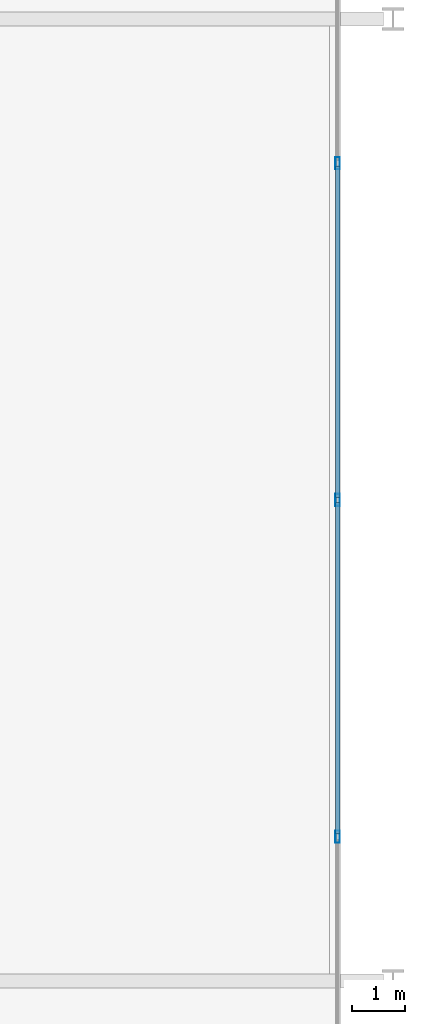
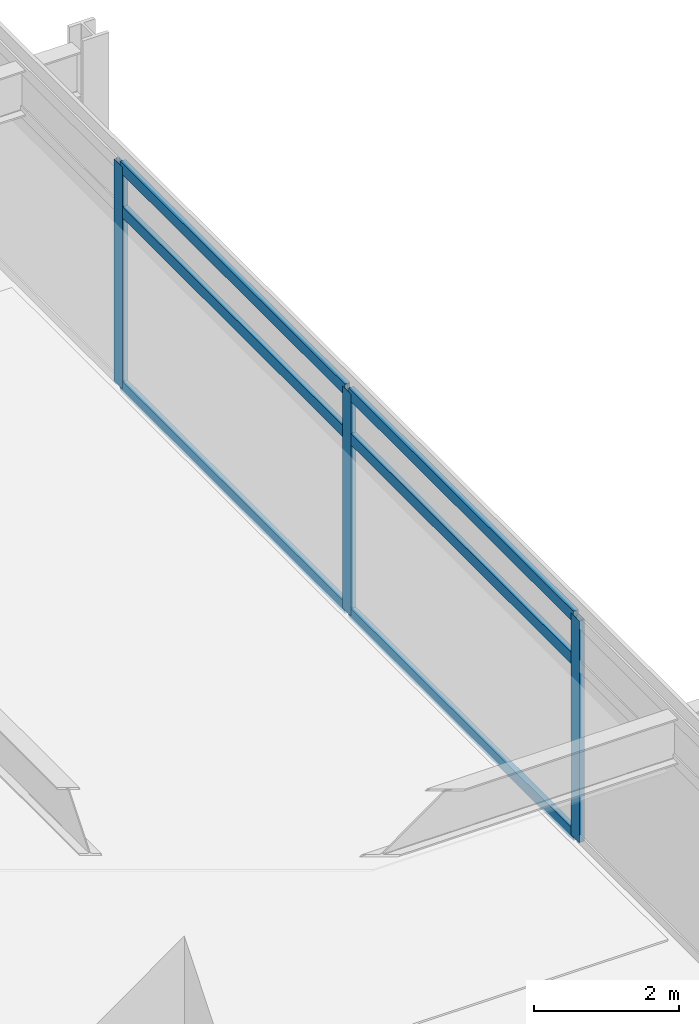
# One storey, part 10 of 23: 9 members, 1 element without a shape of its own.
"""IFC4 building model written with IfcOpenShell, lengths in metres."""

import ifcopenshell
import ifcopenshell.guid

model = None  # the IFC model being written
_history = None  # IfcOwnerHistory: only IFC2X3 demands one
_inside = {}  # id of a spatial element -> (the spatial element, [elements in it])
_under = {}  # id of a project, library or spatial element -> (it, [spatial elements below it])
_declared = {}  # id of a project -> (the project, [libraries it declares])
_typed = {}  # id of a type object -> (the type object, [elements of that type])
_made_of = {}  # id of a material, layer set ... -> (it, [elements and type objects made of it])


def new_model(schema):
    """Start an empty IFC model of exactly this schema.

    Asked for "IFC4X3", IfcOpenShell would pick the latest addendum, in which some entities
    have other attributes; the version numbers below select the first issue.
    IFC2X3 requires an IfcOwnerHistory on every rooted entity: one is made here for all.
    """
    global model, _history
    if schema == "IFC4X3":
        model = ifcopenshell.file(schema_version=(4, 3, 0, 0))
    else:
        model = ifcopenshell.file(schema=schema)
    _inside.clear()
    _under.clear()
    _declared.clear()
    _typed.clear()
    _made_of.clear()
    _history = None
    if model.schema == "IFC2X3":
        org = make("IfcOrganization", Name="unknown")
        user = make(
            "IfcPersonAndOrganization",
            ThePerson=make("IfcPerson", FamilyName="unknown"),
            TheOrganization=org,
        )
        app = make(
            "IfcApplication",
            ApplicationDeveloper=org,
            Version="unknown",
            ApplicationFullName="unknown",
            ApplicationIdentifier="unknown",
        )
        _history = make(
            "IfcOwnerHistory",
            OwningUser=user,
            OwningApplication=app,
            ChangeAction="ADDED",
            CreationDate=0,
        )
    return model


def make(cls, **values):
    """One entity of the class cls with the attributes given. An attribute that is None is left unset."""
    return model.create_entity(
        cls, **{name: value for name, value in values.items() if value is not None}
    )


def rooted(cls, **values):
    """An entity with a GlobalId (a new one), such as an element, a storey or a relation."""
    return make(cls, GlobalId=ifcopenshell.guid.new(), OwnerHistory=_history, **values)


def si_unit(unit_type, name, prefix=None):
    """IfcSIUnit, for example si_unit("LENGTHUNIT", "METRE", prefix="MILLI")."""
    return make("IfcSIUnit", UnitType=unit_type, Prefix=prefix, Name=name)


def assignment(units):
    """IfcUnitAssignment: the units of a project."""
    return None if units is None else make("IfcUnitAssignment", Units=units)


def point(xyz):
    """IfcCartesianPoint."""
    return None if xyz is None else make("IfcCartesianPoint", Coordinates=xyz)


def direction(xyz):
    """IfcDirection."""
    return None if xyz is None else make("IfcDirection", DirectionRatios=xyz)


def frame(location, z_axis=None, x_axis=None):
    """IfcAxis2Placement3D, a coordinate frame: its origin and axes. An axis left out is left unset."""
    return make(
        "IfcAxis2Placement3D",
        Location=point(location),
        Axis=direction(z_axis),
        RefDirection=direction(x_axis),
    )


def frame_2d(location, x_axis=None):
    """IfcAxis2Placement2D, a coordinate frame in the plane: its origin and x axis."""
    return make(
        "IfcAxis2Placement2D", Location=point(location), RefDirection=direction(x_axis)
    )


def origin():
    """The frame at (0, 0, 0) with its axes left unset."""
    return frame((0.0, 0.0, 0.0))


def origin_2d():
    """The frame at (0, 0) in the plane with its x axis left unset."""
    return frame_2d((0.0, 0.0))


def place(relative_to, where):
    """IfcLocalPlacement: puts the frame where relative to a parent placement (None: the world)."""
    return make(
        "IfcLocalPlacement", PlacementRelTo=relative_to, RelativePlacement=where
    )


def context(
    kind, dimensions, precision=None, world=None, true_north=None, identifier=None
):
    """IfcGeometricRepresentationContext, for example the 3D "Model" context."""
    return make(
        "IfcGeometricRepresentationContext",
        ContextIdentifier=identifier,
        ContextType=kind,
        CoordinateSpaceDimension=dimensions,
        Precision=precision,
        WorldCoordinateSystem=world,
        TrueNorth=true_north,
    )


def subcontext(parent, identifier, kind, view, scale=None):
    """IfcGeometricRepresentationSubContext, for example "Body" below "Model"."""
    return make(
        "IfcGeometricRepresentationSubContext",
        ContextIdentifier=identifier,
        ContextType=kind,
        ParentContext=parent,
        TargetScale=scale,
        TargetView=view,
    )


def project(units=None, contexts=None):
    """IfcProject with its units and contexts."""
    return rooted(
        "IfcProject",
        Name="project",
        RepresentationContexts=contexts,
        UnitsInContext=assignment(units),
    )


def spatial(cls, under=None, at=None, **own):
    """A site, building, storey or space (cls), placed at a placement, below another one or the project."""
    s = rooted(cls, ObjectPlacement=at, **own)
    if under is not None:
        _under.setdefault(under.id(), (under, []))[1].append(s)
    return s


def profile(cls, at=None, kind="AREA", **sizes):
    """A parametric profile (cls). Its sizes go by their IFC names, for example OverallWidth=200.0."""
    return make(cls, ProfileType=kind, Position=at, **sizes)


def hollow_rectangle(**sizes):
    """IfcRectangleHollowProfileDef."""
    return profile("IfcRectangleHollowProfileDef", **sizes)


def extrude(swept, where, along, depth):
    """IfcExtrudedAreaSolid: the profile swept, set in the frame where, extruded along a direction by depth."""
    return make(
        "IfcExtrudedAreaSolid",
        SweptArea=swept,
        Position=where,
        ExtrudedDirection=direction(along),
        Depth=depth,
    )


def shape(context_of_items, identifier, shape_type, items):
    """IfcShapeRepresentation: the items that make up one representation, for example the "Body"."""
    return make(
        "IfcShapeRepresentation",
        ContextOfItems=context_of_items,
        RepresentationIdentifier=identifier,
        RepresentationType=shape_type,
        Items=items,
    )


def material(Name=None, Category=None):
    """IfcMaterial."""
    return make("IfcMaterial", Name=Name, Category=Category)


def material_profile(
    of_material, cross_section, Name=None, Category=None, Priority=None
):
    """IfcMaterialProfile: a cross section and its material."""
    return make(
        "IfcMaterialProfile",
        Name=Name,
        Material=of_material,
        Profile=cross_section,
        Priority=Priority,
        Category=Category,
    )


def profile_set(profiles, Name=None, composite=None):
    """IfcMaterialProfileSet."""
    return make(
        "IfcMaterialProfileSet",
        Name=Name,
        MaterialProfiles=profiles,
        CompositeProfile=composite,
    )


def made_of(thing, what):
    """Note that an element or type object is made of a material, layer set ...; save() writes the relation."""
    if what is not None:
        _made_of.setdefault(what.id(), (what, []))[1].append(thing)
    return thing


def type_object(cls, material=None, **own):
    """A type object (cls), such as IfcWallType, which elements share."""
    return made_of(rooted(cls, **own), material)


def element(
    cls,
    number,
    at=None,
    inside=None,
    cuts=None,
    type_object=None,
    material=None,
    context=None,
    identifier="Body",
    shape_type=None,
    held_by="IfcProductDefinitionShape",
    body=None,
    shapes=None,
    **own,
):
    """One element of the class cls, such as IfcWall. Its Tag is "e" and its number.

    at: its placement. inside: the storey or other place that contains it. cuts: it is an
    opening in that element (IfcRelVoidsElement). A single representation is given by context,
    identifier, shape_type and body (its items); several are given by shapes. held_by: the class
    of the entity that holds the representations. save() writes the other relations.
    """
    e = rooted(cls, Tag="e%d" % number, ObjectPlacement=at, **own)
    if body is not None:
        shapes = [shape(context, identifier, shape_type, body)]
    if shapes is not None:
        e.Representation = make(held_by, Representations=shapes)
    if inside is not None:
        _inside.setdefault(inside.id(), (inside, []))[1].append(e)
    if cuts is not None:
        rooted(
            "IfcRelVoidsElement", RelatingBuildingElement=cuts, RelatedOpeningElement=e
        )
    if type_object is not None:
        _typed.setdefault(type_object.id(), (type_object, []))[1].append(e)
    return made_of(e, material)


def aggregate(whole, parts):
    """IfcRelAggregates: a whole, such as a stair, and the parts it consists of."""
    return rooted("IfcRelAggregates", RelatingObject=whole, RelatedObjects=parts)


def save(model, path):
    """Write the relations noted so far, then the file.

    IfcRelAggregates (storeys below a building ...), IfcRelContainedInSpatialStructure (elements
    in a storey), IfcRelDefinesByType, IfcRelAssociatesMaterial and IfcRelDeclares: one each for
    every whole, place, type object, material and project.
    """
    for whole, parts in _under.values():
        aggregate(whole, parts)
    for where, things in _inside.values():
        rooted(
            "IfcRelContainedInSpatialStructure",
            RelatedElements=things,
            RelatingStructure=where,
        )
    for kind, things in _typed.values():
        rooted("IfcRelDefinesByType", RelatedObjects=things, RelatingType=kind)
    for what, things in _made_of.values():
        rooted("IfcRelAssociatesMaterial", RelatedObjects=things, RelatingMaterial=what)
    for by, libraries in _declared.values():
        rooted("IfcRelDeclares", RelatingContext=by, RelatedDefinitions=libraries)
    model.write(path)


model = new_model("IFC4")

# Units and contexts
model_context = context("Model", 3, precision=1e-05, world=origin(), true_north=direction((0.0, 1.0)))
body_context = subcontext(model_context, "Body", "Model", "MODEL_VIEW")
ifc_project = project(units=[si_unit("LENGTHUNIT", "METRE"), si_unit("AREAUNIT", "SQUARE_METRE"), si_unit("VOLUMEUNIT", "CUBIC_METRE"), si_unit("PLANEANGLEUNIT", "RADIAN"), si_unit("MASSUNIT", "GRAM", prefix="KILO")], contexts=[model_context])

# Site, building, storey
site_placement = place(None, origin())
site = spatial("IfcSite", under=ifc_project, at=site_placement, CompositionType="ELEMENT")
building_placement = place(site_placement, origin())
building = spatial("IfcBuilding", under=site, at=building_placement, Name="Kovane Verandah Tower", CompositionType="ELEMENT")
storey_placement = place(building_placement, frame((0.0, 0.0, 148.39990234375)))
storey = spatial("IfcBuildingStorey", under=building, at=storey_placement, Name="L34", CompositionType="ELEMENT", Elevation=148.39990234375)

# Curtain wall, members
ifc_material_1 = material(Name="Champagne Anodised Aluminium Frame with Low-E Clear Laminated Glass", Category="aluminium")
curtain_wall_type = type_object("IfcCurtainWallType", Name="CW-SYS-03-MID", PredefinedType="NOTDEFINED", material=ifc_material_1)
curtain_wall_placement = place(storey_placement, origin())
curtain_wall = element("IfcCurtainWall", 1, at=curtain_wall_placement, inside=storey, type_object=curtain_wall_type, Name="L34 E Unitised Curtain Wall", PredefinedType="NOTDEFINED")
ifc_material_2 = material(Name="Champagne Anodised Aluminium 6063-T6", Category="aluminium")
ifc_material_profile_1 = material_profile(ifc_material_2, hollow_rectangle(XDim=0.0849609375, YDim=0.22998046875, WallThickness=0.00390625, at=origin_2d()), Name="AL85x230x4")
ifc_profile_set_1 = profile_set([ifc_material_profile_1], Name="Champagne Anodised Aluminium 6063-T6")
member_type_1 = type_object("IfcMemberType", Name="CW-MUL-85x230", PredefinedType="MULLION", material=ifc_profile_set_1)
member_1_placement = place(storey_placement, frame((66.5634765625, 21.19873046875, 0.02001953125), z_axis=(0.0, 0.0, 1.0), x_axis=(1.0, 0.0, 0.0)))
member_1 = element("IfcMember", 2, at=member_1_placement, type_object=member_type_1, Name="L34 E Unitised Curtain Wall Mullion 3", PredefinedType="MULLION", context=body_context, shape_type="SweptSolid", body=[
    extrude(hollow_rectangle(XDim=0.0849609375, YDim=0.22998046875, WallThickness=0.00390625, at=origin_2d()), origin(), (0.0, 0.0, 1.0), 3.735107421875),
])
member_2_placement = place(storey_placement, frame((66.5634765625, 27.5, 0.02001953125), z_axis=(0.0, 0.0, 1.0), x_axis=(1.0, 0.0, 0.0)))
member_2 = element("IfcMember", 3, at=member_2_placement, type_object=member_type_1, Name="L34 E Unitised Curtain Wall Mullion 4", PredefinedType="MULLION", context=body_context, shape_type="SweptSolid", body=[
    extrude(hollow_rectangle(XDim=0.0849609375, YDim=0.22998046875, WallThickness=0.00390625, at=origin_2d()), origin(), (0.0, 0.0, 1.0), 3.735107421875),
])
member_3_placement = place(storey_placement, frame((66.5634765625, 33.80126953125, 0.02001953125), z_axis=(0.0, 0.0, 1.0), x_axis=(1.0, 0.0, 0.0)))
member_3 = element("IfcMember", 4, at=member_3_placement, type_object=member_type_1, Name="L34 E Unitised Curtain Wall Mullion 5", PredefinedType="MULLION", context=body_context, shape_type="SweptSolid", body=[
    extrude(hollow_rectangle(XDim=0.0849609375, YDim=0.22998046875, WallThickness=0.00390625, at=origin_2d()), origin(), (0.0, 0.0, 1.0), 3.735107421875),
])
ifc_material_profile_2 = material_profile(ifc_material_2, hollow_rectangle(XDim=0.0849609375, YDim=0.18994140625, WallThickness=0.00390625, at=origin_2d()), Name="AL85x190x4")
ifc_profile_set_2 = profile_set([ifc_material_profile_2], Name="Champagne Anodised Aluminium 6063-T6")
member_type_2 = type_object("IfcMemberType", Name="CW-TRN-85x190", PredefinedType="USERDEFINED", material=ifc_profile_set_2)
member_4_placement = place(storey_placement, frame((66.5634765625, 21.248779296875, 0.050048828125), z_axis=(0.0, 1.0, 0.0), x_axis=(-1.0, 0.0, 0.0)))
member_4 = element("IfcMember", 5, at=member_4_placement, type_object=member_type_2, Name="L34 E Unitised Curtain Wall Transom TB Bay 3", ObjectType="TRANSOM", PredefinedType="USERDEFINED", context=body_context, shape_type="SweptSolid", body=[
    extrude(hollow_rectangle(XDim=0.0849609375, YDim=0.18994140625, WallThickness=0.00390625, at=origin_2d()), origin(), (0.0, 0.0, 1.0), 6.201171875),
])
member_5_placement = place(storey_placement, frame((66.5634765625, 21.248779296875, 2.9951171875), z_axis=(0.0, 1.0, 0.0), x_axis=(-1.0, 0.0, 0.0)))
member_5 = element("IfcMember", 6, at=member_5_placement, type_object=member_type_2, Name="L34 E Unitised Curtain Wall Transom TM Bay 3", ObjectType="TRANSOM", PredefinedType="USERDEFINED", context=body_context, shape_type="SweptSolid", body=[
    extrude(hollow_rectangle(XDim=0.0849609375, YDim=0.18994140625, WallThickness=0.00390625, at=origin_2d()), origin(), (0.0, 0.0, 1.0), 6.201171875),
])
member_6_placement = place(storey_placement, frame((66.5634765625, 21.248779296875, 3.72509765625), z_axis=(0.0, 1.0, 0.0), x_axis=(-1.0, 0.0, 0.0)))
member_6 = element("IfcMember", 7, at=member_6_placement, type_object=member_type_2, Name="L34 E Unitised Curtain Wall Transom TT Bay 3", ObjectType="TRANSOM", PredefinedType="USERDEFINED", context=body_context, shape_type="SweptSolid", body=[
    extrude(hollow_rectangle(XDim=0.0849609375, YDim=0.18994140625, WallThickness=0.00390625, at=origin_2d()), origin(), (0.0, 0.0, 1.0), 6.201171875),
])
member_7_placement = place(storey_placement, frame((66.5634765625, 27.550048828125, 0.050048828125), z_axis=(0.0, 1.0, 0.0), x_axis=(-1.0, 0.0, 0.0)))
member_7 = element("IfcMember", 8, at=member_7_placement, type_object=member_type_2, Name="L34 E Unitised Curtain Wall Transom TB Bay 4", ObjectType="TRANSOM", PredefinedType="USERDEFINED", context=body_context, shape_type="SweptSolid", body=[
    extrude(hollow_rectangle(XDim=0.0849609375, YDim=0.18994140625, WallThickness=0.00390625, at=origin_2d()), origin(), (0.0, 0.0, 1.0), 6.201171875),
])
member_8_placement = place(storey_placement, frame((66.5634765625, 27.550048828125, 2.9951171875), z_axis=(0.0, 1.0, 0.0), x_axis=(-1.0, 0.0, 0.0)))
member_8 = element("IfcMember", 9, at=member_8_placement, type_object=member_type_2, Name="L34 E Unitised Curtain Wall Transom TM Bay 4", ObjectType="TRANSOM", PredefinedType="USERDEFINED", context=body_context, shape_type="SweptSolid", body=[
    extrude(hollow_rectangle(XDim=0.0849609375, YDim=0.18994140625, WallThickness=0.00390625, at=origin_2d()), origin(), (0.0, 0.0, 1.0), 6.201171875),
])
member_9_placement = place(storey_placement, frame((66.5634765625, 27.550048828125, 3.72509765625), z_axis=(0.0, 1.0, 0.0), x_axis=(-1.0, 0.0, 0.0)))
member_9 = element("IfcMember", 10, at=member_9_placement, type_object=member_type_2, Name="L34 E Unitised Curtain Wall Transom TT Bay 4", ObjectType="TRANSOM", PredefinedType="USERDEFINED", context=body_context, shape_type="SweptSolid", body=[
    extrude(hollow_rectangle(XDim=0.0849609375, YDim=0.18994140625, WallThickness=0.00390625, at=origin_2d()), origin(), (0.0, 0.0, 1.0), 6.201171875),
])
aggregate(curtain_wall, [member_1, member_2, member_3, member_4, member_5, member_6, member_7, member_8, member_9])

save(model, "model.ifc")
